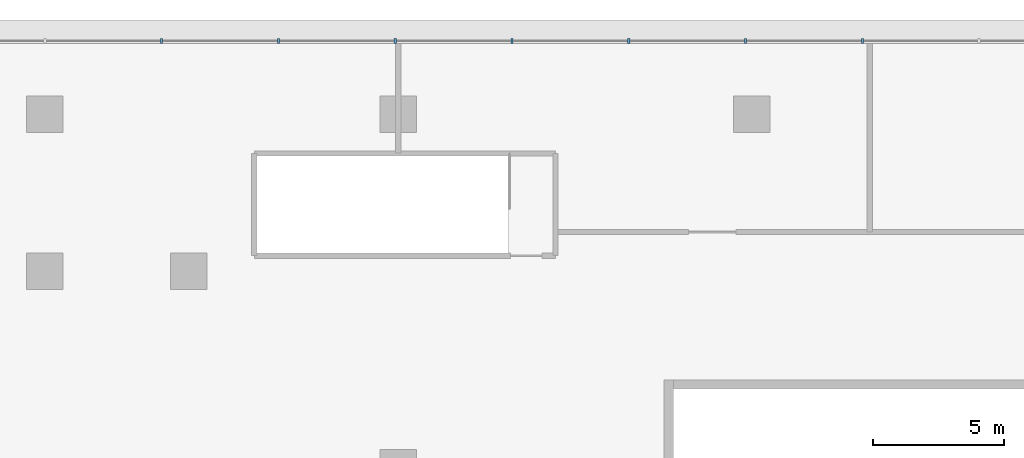
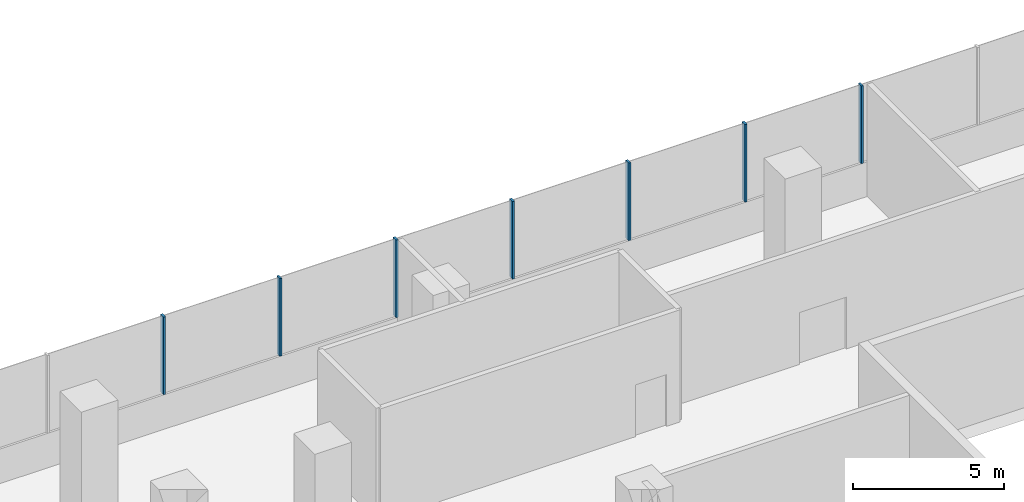
# One storey, part 18 of 38: 7 members, 1 element without a shape of its own.
"""IFC4 building model written with IfcOpenShell, lengths in metres."""

from ifc_helpers import new_model, si_unit, direction, frame, origin, origin_2d, place, context, subcontext, project, spatial, rectangle, extrude, material, layer, layer_set, material_profile, profile_set, type_object, element, aggregate, save


model = new_model("IFC4")

# Units and contexts
model_context = context("Model", 3, precision=1e-05, world=origin(), true_north=direction((0.0, 1.0)))
body_context = subcontext(model_context, "Body", "Model", "MODEL_VIEW")
ifc_project = project(units=[si_unit("LENGTHUNIT", "METRE"), si_unit("AREAUNIT", "SQUARE_METRE"), si_unit("VOLUMEUNIT", "CUBIC_METRE"), si_unit("PLANEANGLEUNIT", "RADIAN"), si_unit("MASSUNIT", "GRAM", prefix="KILO")], contexts=[model_context])

# Site, building, storey
site_placement = place(None, origin())
site = spatial("IfcSite", under=ifc_project, at=site_placement, CompositionType="ELEMENT")
building_placement = place(site_placement, origin())
building = spatial("IfcBuilding", under=site, at=building_placement, Name="Tamarind Cross Interchange Tower", CompositionType="ELEMENT")
storey_placement = place(building_placement, frame((0.0, 0.0, 20.0)))
storey = spatial("IfcBuildingStorey", under=building, at=storey_placement, Name="L03", CompositionType="ELEMENT", Elevation=20.0)

# Curtain wall, members
ifc_material = material(Name="Aluminium 6063-T6", Category="aluminium")
ifc_layer = layer(ifc_material, 0.199951171875)
ifc_layer_set = layer_set([ifc_layer], Name="Aluminium 6063-T6")
curtain_wall_type = type_object("IfcCurtainWallType", Name="Podium shopfront and station curtain wall", PredefinedType="NOTDEFINED", material=ifc_layer_set)
curtain_wall_placement = place(storey_placement, origin())
curtain_wall = element("IfcCurtainWall", 1, at=curtain_wall_placement, inside=storey, type_object=curtain_wall_type, Name="CWS-L03-02", PredefinedType="NOTDEFINED")
ifc_material_profile = material_profile(ifc_material, rectangle(XDim=0.080078125, YDim=0.199951171875, at=origin_2d()), Name="Mullion CW3")
ifc_profile_set = profile_set([ifc_material_profile], Name="Aluminium 6063-T6")
member_type = type_object("IfcMemberType", Name="Mullion CW3", PredefinedType="MULLION", material=ifc_profile_set)
member_1_placement = place(storey_placement, frame((31.222412109375, 56.800048828125, 1.39990234375), z_axis=(0.0, 0.0, 1.0), x_axis=(-1.0, 0.0, 0.0)))
member_1 = element("IfcMember", 2, at=member_1_placement, type_object=member_type, Name="CWM-L03-02-06", PredefinedType="MULLION", context=body_context, shape_type="SweptSolid", body=[
    extrude(rectangle(XDim=0.080078125, YDim=0.199951171875, at=origin_2d()), origin(), (0.0, 0.0, 1.0), 3.150146484375),
])
member_2_placement = place(storey_placement, frame((26.761962890625, 56.800048828125, 1.39990234375), z_axis=(0.0, 0.0, 1.0), x_axis=(-1.0, 0.0, 0.0)))
member_2 = element("IfcMember", 3, at=member_2_placement, type_object=member_type, Name="CWM-L03-02-07", PredefinedType="MULLION", context=body_context, shape_type="SweptSolid", body=[
    extrude(rectangle(XDim=0.080078125, YDim=0.199951171875, at=origin_2d()), origin(), (0.0, 0.0, 1.0), 3.150146484375),
])
member_3_placement = place(storey_placement, frame((22.3017578125, 56.800048828125, 1.39990234375), z_axis=(0.0, 0.0, 1.0), x_axis=(-1.0, 0.0, 0.0)))
member_3 = element("IfcMember", 4, at=member_3_placement, type_object=member_type, Name="CWM-L03-02-08", PredefinedType="MULLION", context=body_context, shape_type="SweptSolid", body=[
    extrude(rectangle(XDim=0.080078125, YDim=0.199951171875, at=origin_2d()), origin(), (0.0, 0.0, 1.0), 3.150146484375),
])
member_4_placement = place(storey_placement, frame((17.84130859375, 56.800048828125, 1.39990234375), z_axis=(0.0, 0.0, 1.0), x_axis=(-1.0, 0.0, 0.0)))
member_4 = element("IfcMember", 5, at=member_4_placement, type_object=member_type, Name="CWM-L03-02-09", PredefinedType="MULLION", context=body_context, shape_type="SweptSolid", body=[
    extrude(rectangle(XDim=0.080078125, YDim=0.199951171875, at=origin_2d()), origin(), (0.0, 0.0, 1.0), 3.150146484375),
])
member_5_placement = place(storey_placement, frame((13.381103515625, 56.800048828125, 1.39990234375), z_axis=(0.0, 0.0, 1.0), x_axis=(-1.0, 0.0, 0.0)))
member_5 = element("IfcMember", 6, at=member_5_placement, type_object=member_type, Name="CWM-L03-02-10", PredefinedType="MULLION", context=body_context, shape_type="SweptSolid", body=[
    extrude(rectangle(XDim=0.080078125, YDim=0.199951171875, at=origin_2d()), origin(), (0.0, 0.0, 1.0), 3.150146484375),
])
member_6_placement = place(storey_placement, frame((8.920654296875, 56.800048828125, 1.39990234375), z_axis=(0.0, 0.0, 1.0), x_axis=(-1.0, 0.0, 0.0)))
member_6 = element("IfcMember", 7, at=member_6_placement, type_object=member_type, Name="CWM-L03-02-11", PredefinedType="MULLION", context=body_context, shape_type="SweptSolid", body=[
    extrude(rectangle(XDim=0.080078125, YDim=0.199951171875, at=origin_2d()), origin(), (0.0, 0.0, 1.0), 3.150146484375),
])
member_7_placement = place(storey_placement, frame((4.46044921875, 56.800048828125, 1.39990234375), z_axis=(0.0, 0.0, 1.0), x_axis=(-1.0, 0.0, 0.0)))
member_7 = element("IfcMember", 8, at=member_7_placement, type_object=member_type, Name="CWM-L03-02-12", PredefinedType="MULLION", context=body_context, shape_type="SweptSolid", body=[
    extrude(rectangle(XDim=0.080078125, YDim=0.199951171875, at=origin_2d()), origin(), (0.0, 0.0, 1.0), 3.150146484375),
])
aggregate(curtain_wall, [member_1, member_2, member_3, member_4, member_5, member_6, member_7])

save(model, "model.ifc")
